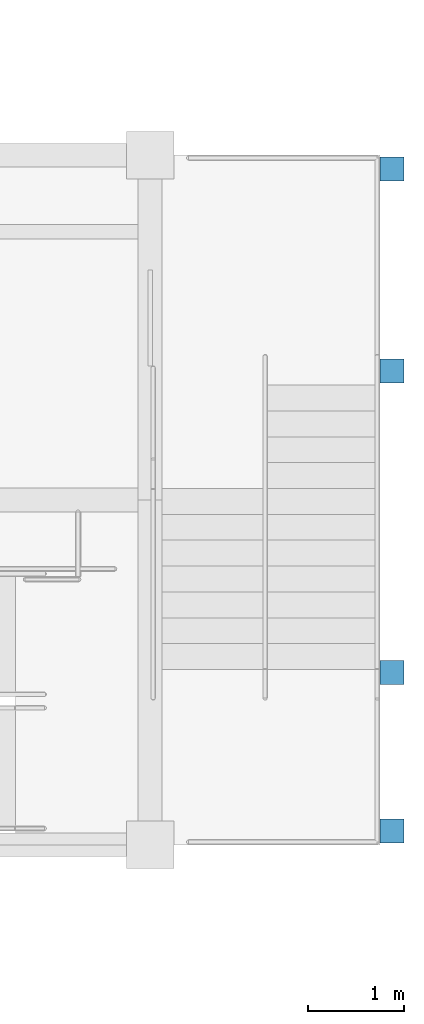
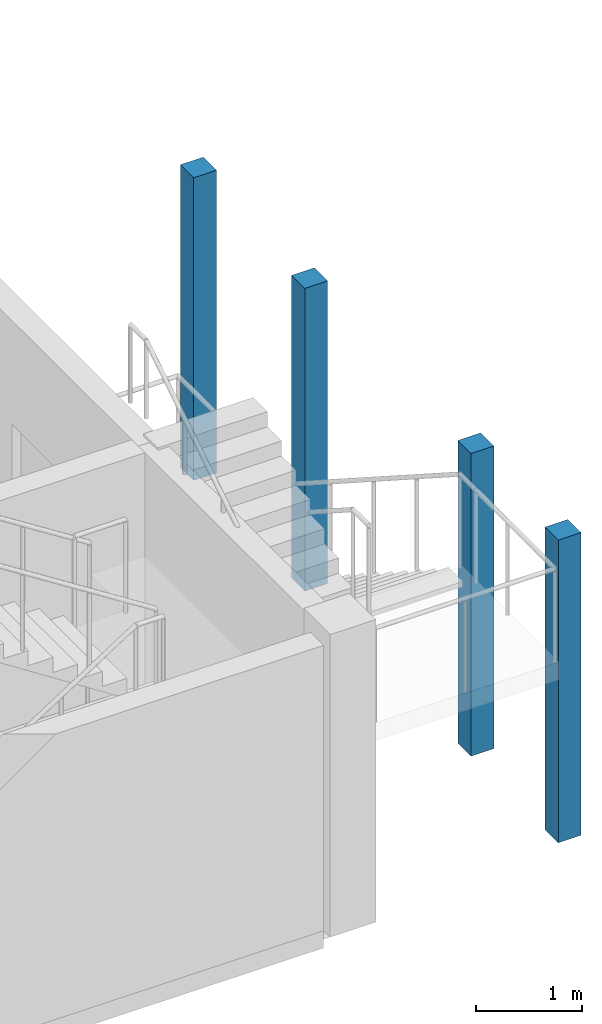
# One storey, part 5 of 92: 4 columns.
"""IFC4 building model written with IfcOpenShell, lengths in metres."""

from ifc_helpers import new_model, si_unit, direction, frame, origin, origin_2d, place, context, subcontext, project, spatial, rectangle, extrude, material, material_profile, profile_set, type_object, element, save


model = new_model("IFC4")

# Units and contexts
model_context = context("Model", 3, precision=1e-05, world=origin(), true_north=direction((0.0, 1.0)))
body_context = subcontext(model_context, "Body", "Model", "MODEL_VIEW")
ifc_project = project(units=[si_unit("LENGTHUNIT", "METRE"), si_unit("AREAUNIT", "SQUARE_METRE"), si_unit("VOLUMEUNIT", "CUBIC_METRE"), si_unit("PLANEANGLEUNIT", "RADIAN"), si_unit("MASSUNIT", "GRAM", prefix="KILO")], contexts=[model_context])

# Site, building, storey
site_placement = place(None, origin())
site = spatial("IfcSite", under=ifc_project, at=site_placement, CompositionType="ELEMENT")
building_placement = place(site_placement, origin())
building = spatial("IfcBuilding", under=site, at=building_placement, Name="Laocheng Heights Fire and Rescue Headquarters", CompositionType="ELEMENT")
storey_placement = place(building_placement, frame((0.0, 0.0, 12.60009765625)))
storey = spatial("IfcBuildingStorey", under=building, at=storey_placement, Name="L03", CompositionType="ELEMENT", Elevation=12.60009765625)

# Columns
ifc_material = material(Name="Concrete C40", Category="concrete")
ifc_material_profile = material_profile(ifc_material, rectangle(XDim=0.25, YDim=0.25, at=origin_2d()), Name="STAIR LANDING POST 250x250")
ifc_profile_set = profile_set([ifc_material_profile], Name="Concrete C40")
column_type = type_object("IfcColumnType", Name="STAIR LANDING POST 250x250", PredefinedType="COLUMN", material=ifc_profile_set)
for number, where, z_axis, x_axis, name in (
    (1, (128.52490234375, 32.945068359375, 1.39990234375), (0.0, 0.0, 1.0), (1.0, 0.0, 0.0), "Stair T2 landing post F5 1"),
    (2, (128.52490234375, 35.054931640625, 1.39990234375), (0.0, 0.0, 1.0), (1.0, 0.0, 0.0), "Stair T2 landing post F5 2"),
    (3, (128.52490234375, 28.14501953125, 1.39990234375), (0.0, 0.0, 1.0), (1.0, 0.0, 0.0), "Stair T2 landing post F5 3"),
    (4, (128.52490234375, 29.796875, 1.39990234375), (0.0, 0.0, 1.0), (1.0, 0.0, 0.0), "Stair T2 landing post F5 4"),
):
    element("IfcColumn", number, at=place(storey_placement, frame(where, z_axis=z_axis, x_axis=x_axis)), inside=storey, type_object=column_type, Name=name, PredefinedType="COLUMN", context=body_context, shape_type="SweptSolid", body=[
        extrude(rectangle(XDim=0.25, YDim=0.25, at=origin_2d()), origin(), (0.0, 0.0, 1.0), 3.5),
    ])

save(model, "model.ifc")
